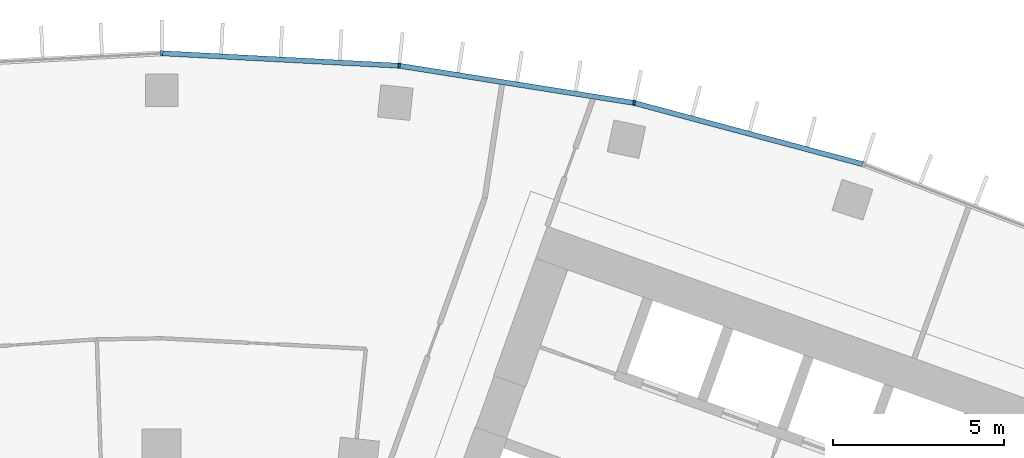
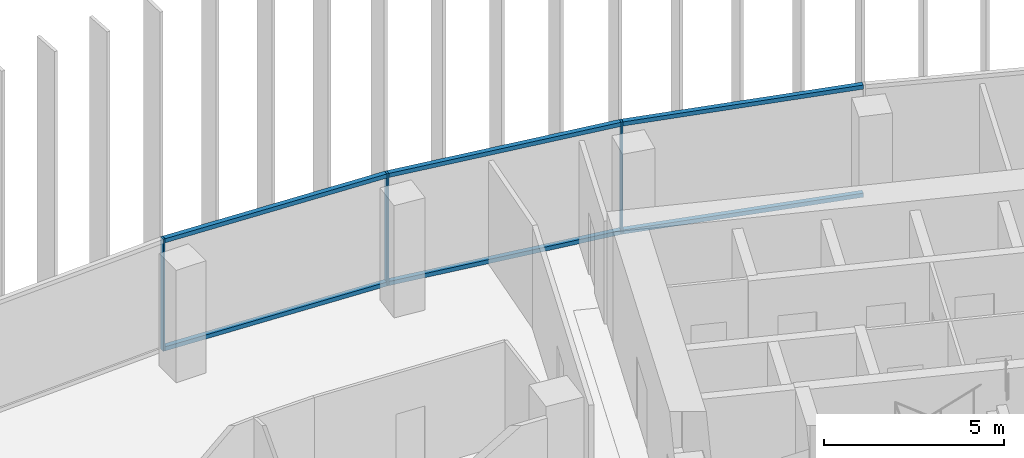
# One storey, part 7 of 20: 9 members, 1 element without a shape of its own.
"""IFC4 building model written with IfcOpenShell, lengths in metres."""

from ifc_helpers import new_model, si_unit, direction, frame, origin, origin_2d, place, context, subcontext, project, spatial, rectangle, extrude, material, layer, layer_set, material_profile, profile_set, type_object, element, aggregate, save


model = new_model("IFC4")

# Units and contexts
model_context = context("Model", 3, precision=1e-05, world=origin(), true_north=direction((0.0, 1.0)))
body_context = subcontext(model_context, "Body", "Model", "MODEL_VIEW")
ifc_project = project(units=[si_unit("LENGTHUNIT", "METRE"), si_unit("AREAUNIT", "SQUARE_METRE"), si_unit("VOLUMEUNIT", "CUBIC_METRE"), si_unit("PLANEANGLEUNIT", "RADIAN"), si_unit("MASSUNIT", "GRAM", prefix="KILO")], contexts=[model_context])

# Site, building, storey
site_placement = place(None, origin())
site = spatial("IfcSite", under=ifc_project, at=site_placement, CompositionType="ELEMENT")
building_placement = place(site_placement, origin())
building = spatial("IfcBuilding", under=site, at=building_placement, Name="Stone Belt Terrace Tower", CompositionType="ELEMENT")
storey_placement = place(building_placement, frame((0.0, 0.0, 212.39990234375)))
storey = spatial("IfcBuildingStorey", under=building, at=storey_placement, Name="L51", CompositionType="ELEMENT", Elevation=212.39990234375)

# Curtain wall, members
ifc_material = material(Name="Aluminium 6063-T6 anodised frame", Category="aluminium")
ifc_layer = layer(ifc_material, 0.14990234375)
ifc_layer_set = layer_set([ifc_layer], Name="CW-A unitised convex-face curtain wall")
curtain_wall_type = type_object("IfcCurtainWallType", Name="CW-A unitised convex-face curtain wall", PredefinedType="NOTDEFINED", material=ifc_layer_set)
curtain_wall_placement = place(storey_placement, origin())
curtain_wall = element("IfcCurtainWall", 1, at=curtain_wall_placement, inside=storey, type_object=curtain_wall_type, Name="CW-A convex face L51", PredefinedType="NOTDEFINED")
ifc_material_profile_1 = material_profile(ifc_material, rectangle(XDim=0.14990234375, YDim=0.06005859375, at=origin_2d()), Name="Aluminium 6063-T6 60x150")
ifc_profile_set_1 = profile_set([ifc_material_profile_1], Name="Aluminium 6063-T6 anodised frame")
member_type_1 = type_object("IfcMemberType", Name="CW-A mullion 60 x 150", PredefinedType="MULLION", material=ifc_profile_set_1)
member_1_placement = place(storey_placement, frame((13.841796875, 65.120361328125, 0.0), z_axis=(0.0, 0.0, 1.0), x_axis=(-0.207911690818, -0.978147600734, 0.0)))
member_1 = element("IfcMember", 2, at=member_1_placement, type_object=member_type_1, Name="CW-A mullion 7", PredefinedType="MULLION", context=body_context, shape_type="SweptSolid", body=[
    extrude(rectangle(XDim=0.14990234375, YDim=0.06005859375, at=origin_2d()), origin(), (0.0, 0.0, 1.0), 3.800048828125),
])
member_2_placement = place(storey_placement, frame((6.958984375, 66.21044921875, 0.0), z_axis=(0.0, 0.0, 1.0), x_axis=(-0.104528463268, -0.994521895368, 0.0)))
member_2 = element("IfcMember", 3, at=member_2_placement, type_object=member_type_1, Name="CW-A mullion 8", PredefinedType="MULLION", context=body_context, shape_type="SweptSolid", body=[
    extrude(rectangle(XDim=0.14990234375, YDim=0.06005859375, at=origin_2d()), origin(), (0.0, 0.0, 1.0), 3.800048828125),
])
member_3_placement = place(storey_placement, frame((0.0, 66.5751953125, 0.0), z_axis=(0.0, 0.0, 1.0), x_axis=(0.0, -1.0, 0.0)))
member_3 = element("IfcMember", 4, at=member_3_placement, type_object=member_type_1, Name="CW-A mullion 9", PredefinedType="MULLION", context=body_context, shape_type="SweptSolid", body=[
    extrude(rectangle(XDim=0.14990234375, YDim=0.06005859375, at=origin_2d()), origin(), (0.0, 0.0, 1.0), 3.800048828125),
])
ifc_material_profile_2 = material_profile(ifc_material, rectangle(XDim=0.14990234375, YDim=0.139892578125, at=origin_2d()), Name="Aluminium 6063-T6 150x140")
ifc_profile_set_2 = profile_set([ifc_material_profile_2], Name="Aluminium 6063-T6 anodised frame")
member_type_2 = type_object("IfcMemberType", Name="CW-A transom 140 x 150", PredefinedType="USERDEFINED", material=ifc_profile_set_2)
member_4_placement = place(storey_placement, frame((20.5400390625, 63.325439453125, 0.070068359375), z_axis=(-0.965921835863, 0.258833937117, 0.0), x_axis=(-0.258833937117, -0.965921835863, 0.0)))
member_4 = element("IfcMember", 5, at=member_4_placement, type_object=member_type_2, Name="CW-A transom 6.1", ObjectType="TRANSOM", PredefinedType="USERDEFINED", context=body_context, shape_type="SweptSolid", body=[
    extrude(rectangle(XDim=0.14990234375, YDim=0.139892578125, at=origin_2d()), origin(), (0.0, 0.0, 1.0), 6.900634765625),
])
member_5_placement = place(storey_placement, frame((20.5400390625, 63.325439453125, 3.72998046875), z_axis=(-0.965921835863, 0.258833937117, 0.0), x_axis=(-0.258833937117, -0.965921835863, 0.0)))
member_5 = element("IfcMember", 6, at=member_5_placement, type_object=member_type_2, Name="CW-A transom 6.2", ObjectType="TRANSOM", PredefinedType="USERDEFINED", context=body_context, shape_type="SweptSolid", body=[
    extrude(rectangle(XDim=0.14990234375, YDim=0.139892578125, at=origin_2d()), origin(), (0.0, 0.0, 1.0), 6.900634765625),
])
member_6_placement = place(storey_placement, frame((13.808349609375, 65.12548828125, 0.070068359375), z_axis=(-0.987687120531, 0.156442168027, 0.0), x_axis=(-0.156442168027, -0.987687120531, 0.0)))
member_6 = element("IfcMember", 7, at=member_6_placement, type_object=member_type_2, Name="CW-A transom 7.1", ObjectType="TRANSOM", PredefinedType="USERDEFINED", context=body_context, shape_type="SweptSolid", body=[
    extrude(rectangle(XDim=0.14990234375, YDim=0.139892578125, at=origin_2d()), origin(), (0.0, 0.0, 1.0), 6.90087890625),
])
member_7_placement = place(storey_placement, frame((13.808349609375, 65.12548828125, 3.72998046875), z_axis=(-0.987687120531, 0.156442168027, 0.0), x_axis=(-0.156442168027, -0.987687120531, 0.0)))
member_7 = element("IfcMember", 8, at=member_7_placement, type_object=member_type_2, Name="CW-A transom 7.2", ObjectType="TRANSOM", PredefinedType="USERDEFINED", context=body_context, shape_type="SweptSolid", body=[
    extrude(rectangle(XDim=0.14990234375, YDim=0.139892578125, at=origin_2d()), origin(), (0.0, 0.0, 1.0), 6.90087890625),
])
member_8_placement = place(storey_placement, frame((6.925048828125, 66.212158203125, 0.070068359375), z_axis=(-0.998630019135, 0.052326712899, 0.0), x_axis=(-0.052326712899, -0.998630019135, 0.0)))
member_8 = element("IfcMember", 9, at=member_8_placement, type_object=member_type_2, Name="CW-A transom 8.1", ObjectType="TRANSOM", PredefinedType="USERDEFINED", context=body_context, shape_type="SweptSolid", body=[
    extrude(rectangle(XDim=0.14990234375, YDim=0.139892578125, at=origin_2d()), origin(), (0.0, 0.0, 1.0), 6.900634765625),
])
member_9_placement = place(storey_placement, frame((6.925048828125, 66.212158203125, 3.72998046875), z_axis=(-0.998630019135, 0.052326712899, 0.0), x_axis=(-0.052326712899, -0.998630019135, 0.0)))
member_9 = element("IfcMember", 10, at=member_9_placement, type_object=member_type_2, Name="CW-A transom 8.2", ObjectType="TRANSOM", PredefinedType="USERDEFINED", context=body_context, shape_type="SweptSolid", body=[
    extrude(rectangle(XDim=0.14990234375, YDim=0.139892578125, at=origin_2d()), origin(), (0.0, 0.0, 1.0), 6.900634765625),
])
aggregate(curtain_wall, [member_1, member_2, member_3, member_4, member_5, member_6, member_7, member_8, member_9])

save(model, "model.ifc")
